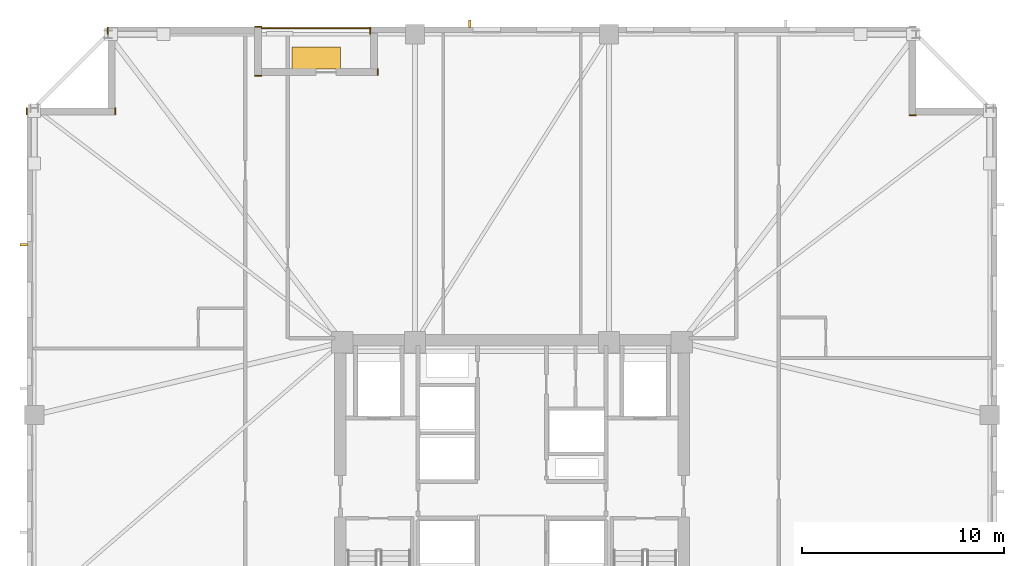
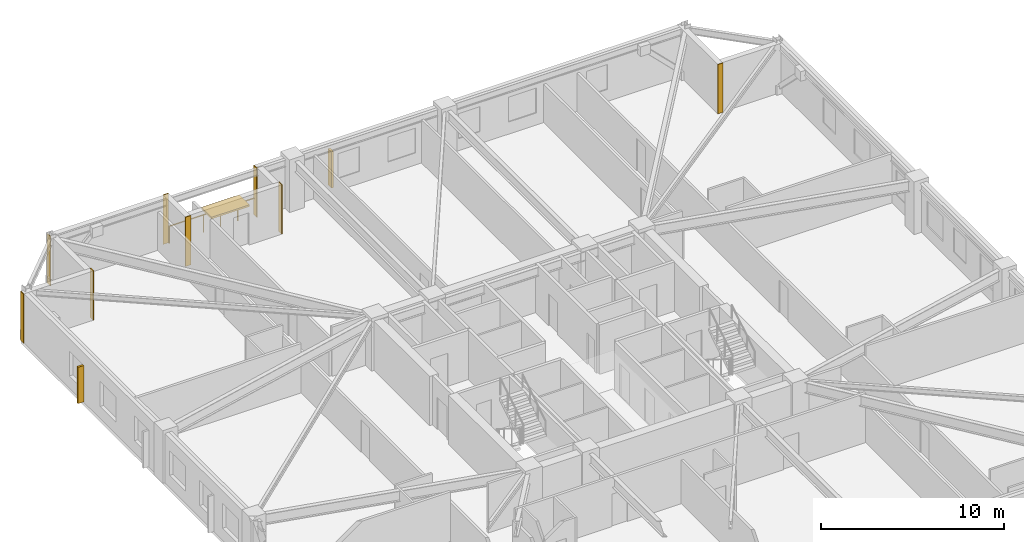
# One storey, part 10 of 11: 8 coverings, 3 shading devices, 1 railing.
"""IFC4 building model written with IfcOpenShell, lengths in metres."""

from ifc_helpers import new_model, si_unit, direction, frame, frame_2d, origin, origin_2d, place, context, subcontext, project, spatial, rectangle, circle, extrude, material, layer, layer_set, type_object, element, save


model = new_model("IFC4")

# Units and contexts
model_context = context("Model", 3, precision=1e-05, world=origin(), true_north=direction((0.0, 1.0)))
body_context = subcontext(model_context, "Body", "Model", "MODEL_VIEW")
ifc_project = project(units=[si_unit("LENGTHUNIT", "METRE"), si_unit("AREAUNIT", "SQUARE_METRE"), si_unit("VOLUMEUNIT", "CUBIC_METRE"), si_unit("PLANEANGLEUNIT", "RADIAN"), si_unit("MASSUNIT", "GRAM", prefix="KILO")], contexts=[model_context])

# Site, building, storey
site_placement = place(None, origin())
site = spatial("IfcSite", under=ifc_project, at=site_placement, CompositionType="ELEMENT")
building_placement = place(site_placement, origin())
building = spatial("IfcBuilding", under=site, at=building_placement, Name="Cairnveth Concourse Tower", CompositionType="ELEMENT")
storey_placement = place(building_placement, frame((0.0, 0.0, 106.0)))
storey = spatial("IfcBuildingStorey", under=building, at=storey_placement, Name="L28", CompositionType="ELEMENT", Elevation=106.0)

# Coverings
ifc_material_1 = material(Name="Dressed Melbourne Bluestone Cladding", Category="masonry")
ifc_layer = layer(ifc_material_1, 0.050048828125)
ifc_layer_set = layer_set([ifc_layer], Name="Dressed Melbourne Bluestone Cladding")
covering_type = type_object("IfcCoveringType", Name="DRESSED BLUESTONE PLINTH CLADDING 50", PredefinedType="CLADDING", material=ifc_layer_set)
for number, where, z_axis, x_axis, name in (
    (1, (44.97998046875, 62.659912109375, 0.0), (0.0, 0.0, 1.0), (0.0, 1.0, 0.0), "Melbourne Bluestone Corner Quoin L28-387"),
    (2, (71.659912109375, 58.639892578125, 0.0), (0.0, 0.0, 1.0), (1.0, 0.0, 0.0), "Melbourne Bluestone Corner Quoin L28-389"),
    (3, (27.97998046875, 58.659912109375, 0.0), (0.0, 0.0, 1.0), (0.0, 1.0, 0.0), "Melbourne Bluestone Corner Quoin L28-397"),
    (4, (32.360107421875, 58.659912109375, 0.0), (0.0, 0.0, 1.0), (0.0, 1.0, 0.0), "Melbourne Bluestone Corner Quoin L28-398"),
    (5, (31.97998046875, 62.659912109375, 0.0), (0.0, 0.0, 1.0), (0.0, 1.0, 0.0), "Melbourne Bluestone Corner Quoin L28-399"),
    (6, (39.260009765625, 63.02001953125, 0.0), (0.0, 0.0, 1.0), (1.0, 0.0, 0.0), "Melbourne Bluestone Corner Quoin L28-400"),
    (7, (39.260009765625, 60.590087890625, 0.0), (0.0, 0.0, 1.0), (1.0, 0.0, 0.0), "Melbourne Bluestone Corner Quoin L28-401"),
):
    element("IfcCovering", number, at=place(storey_placement, frame(where, z_axis=z_axis, x_axis=x_axis)), inside=storey, type_object=covering_type, Name=name, PredefinedType="CLADDING", context=body_context, shape_type="SweptSolid", body=[
        extrude(rectangle(XDim=0.340087890625, YDim=0.050048828125, at=frame_2d((0.169921875, 0.0))), origin(), (0.0, 0.0, 1.0), 3.280029296875),
    ])
covering_placement = place(storey_placement, frame((45.360107421875, 60.610107421875, 0.0), z_axis=(0.0, 0.0, 1.0), x_axis=(0.0, 1.0, 0.0)))
element("IfcCovering", 8, at=covering_placement, inside=storey, type_object=covering_type, Name="Melbourne Bluestone Corner Quoin L28-402", PredefinedType="CLADDING", context=body_context, shape_type="SweptSolid", body=[
    extrude(rectangle(XDim=0.33984375, YDim=0.050048828125, at=frame_2d((0.169921875, 0.0))), origin(), (0.0, 0.0, 1.0), 3.280029296875),
])

# Shading devices
ifc_material_2 = material(Name="Architectural Bronze Anodised Aluminium 6063-T6", Category="aluminium")
shading_device_type_1 = type_object("IfcShadingDeviceType", Name="GOTHIC BRONZE VERTICAL LANCET FIN", PredefinedType="USERDEFINED", material=ifc_material_2)
for number, where, z_axis, x_axis, name in (
    (9, (49.9130859375, 63.175048828125, 0.030029296875), (0.0, 0.0, 1.0), (1.0, 0.0, 0.0), "Gothic Bronze Vertical Fin L28-0-1"),
    (10, (27.824951171875, 52.22021484375, 0.030029296875), (0.0, 0.0, 1.0), (0.0, 1.0, 0.0), "Gothic Bronze Vertical Fin L28-9-9"),
):
    element("IfcShadingDevice", number, at=place(storey_placement, frame(where, z_axis=z_axis, x_axis=x_axis)), inside=storey, type_object=shading_device_type_1, Name=name, ObjectType="VERTICAL FIN", PredefinedType="USERDEFINED", context=body_context, shape_type="SweptSolid", body=[
        extrude(rectangle(XDim=0.1201171875, YDim=0.360107421875, at=origin_2d()), origin(), (0.0, 0.0, 1.0), 2.419921875),
    ])
shading_device_type_2 = type_object("IfcShadingDeviceType", Name="SPIRAL TERRACE SUNSHADE CANOPY", PredefinedType="USERDEFINED", material=ifc_material_2)
shading_device_placement = place(storey_placement, frame((42.300048828125, 61.469970703125, 2.300048828125), z_axis=(0.0, 0.0, 1.0), x_axis=(1.0, 0.0, 0.0)))
element("IfcShadingDevice", 11, at=shading_device_placement, inside=storey, type_object=shading_device_type_2, Name="Spiral Terrace Sunshade L28", ObjectType="TERRACE SUNSHADE", PredefinedType="USERDEFINED", context=body_context, shape_type="SweptSolid", body=[
    extrude(rectangle(XDim=2.39990234375, YDim=1.10009765625, at=origin_2d()), origin(), (0.0, 0.0, 1.0), 0.1201171875),
])

# Railing
railing_type = type_object("IfcRailingType", Name="TERRACE BRONZE BALUSTRADE 1150", PredefinedType="BALUSTRADE", material=ifc_material_2)
railing_placement = place(storey_placement, frame((39.60009765625, 62.93994140625, 0.0)))
element("IfcRailing", 12, at=railing_placement, inside=storey, type_object=railing_type, Name="Terrace Balustrade RL-L28-TERR", PredefinedType="BALUSTRADE", context=body_context, shape_type="SweptSolid", body=[
    extrude(circle(Radius=0.02490234375, at=origin_2d()), frame((0.0, 0.0, 1.125), z_axis=(1.0, 0.0, 0.0), x_axis=(0.0, 1.0, 0.0)), (0.0, 0.0, 1.0), 5.39990234375),
    extrude(circle(Radius=0.02099609375, at=origin_2d()), origin(), (0.0, 0.0, 1.0), 1.099853515625),
    extrude(circle(Radius=0.02099609375, at=origin_2d()), frame((1.080078125, 0.0, 0.0)), (0.0, 0.0, 1.0), 1.099853515625),
    extrude(circle(Radius=0.02099609375, at=origin_2d()), frame((2.159912109375, 0.0, 0.0)), (0.0, 0.0, 1.0), 1.099853515625),
    extrude(circle(Radius=0.02099609375, at=origin_2d()), frame((3.239990234375, 0.0, 0.0)), (0.0, 0.0, 1.0), 1.099853515625),
    extrude(circle(Radius=0.02099609375, at=origin_2d()), frame((4.31982421875, 0.0, 0.0)), (0.0, 0.0, 1.0), 1.099853515625),
    extrude(circle(Radius=0.02099609375, at=origin_2d()), frame((5.39990234375, 0.0, 0.0)), (0.0, 0.0, 1.0), 1.099853515625),
])

save(model, "model.ifc")
